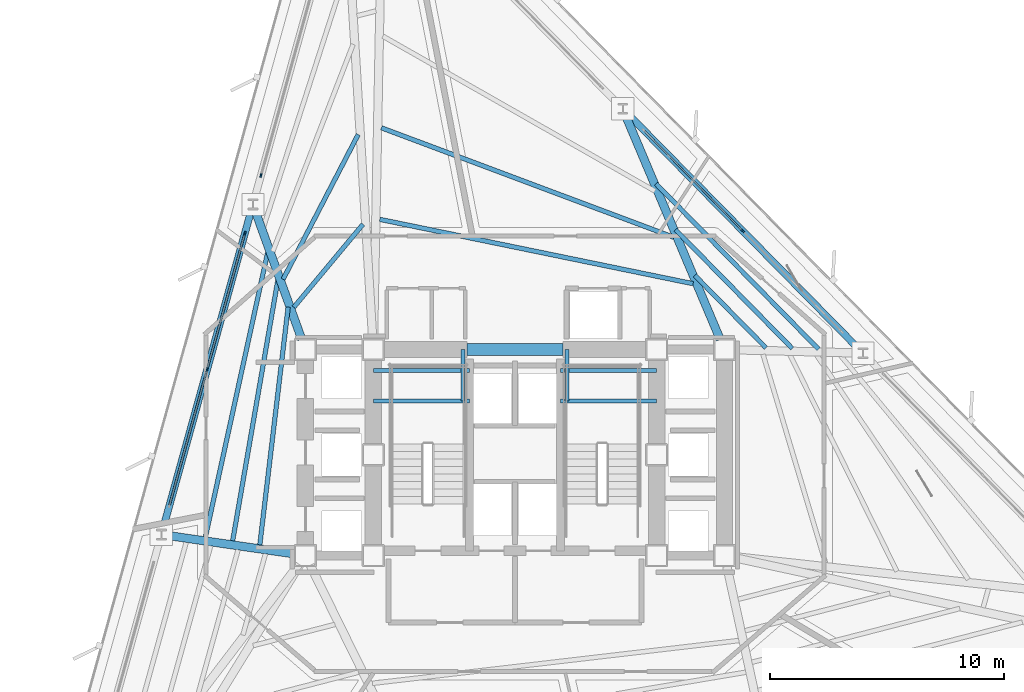
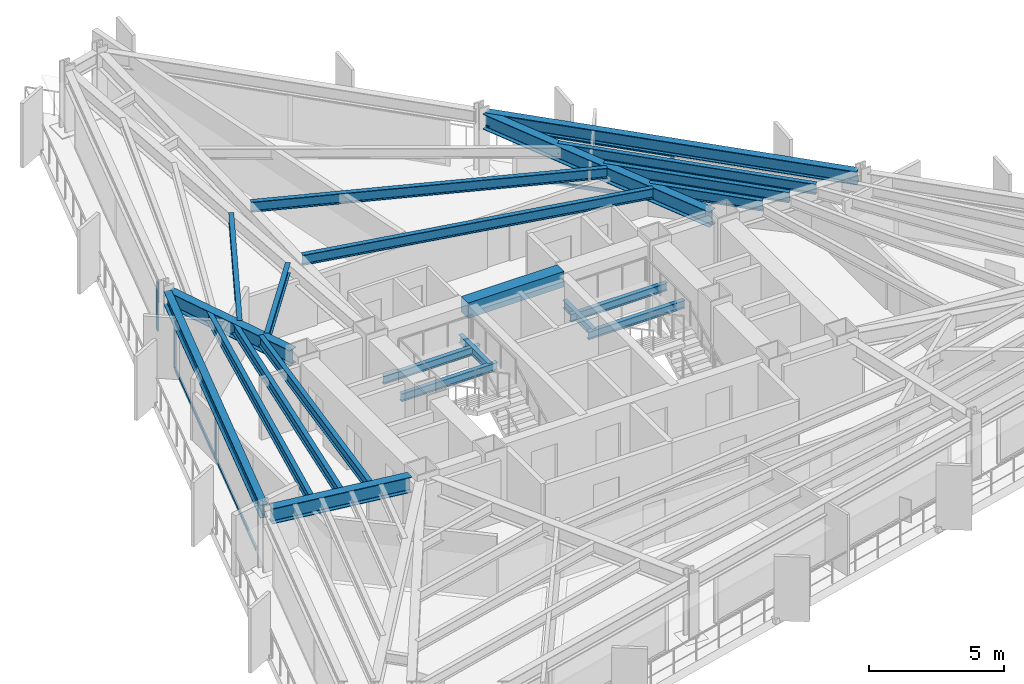
# One storey, part 3 of 11: 22 beams, 10 members, 3 elements without a shape of their own.
"""IFC4 building model written with IfcOpenShell, lengths in metres."""

from ifc_helpers import new_model, si_unit, direction, frame, origin, origin_2d, place, context, subcontext, project, spatial, rectangle, i_section, extrude, material, layer, layer_set, material_profile, profile_set, type_object, element, aggregate, save


model = new_model("IFC4")

# Units and contexts
model_context = context("Model", 3, precision=1e-05, world=origin(), true_north=direction((0.0, 1.0)))
body_context = subcontext(model_context, "Body", "Model", "MODEL_VIEW")
ifc_project = project(units=[si_unit("LENGTHUNIT", "METRE"), si_unit("AREAUNIT", "SQUARE_METRE"), si_unit("VOLUMEUNIT", "CUBIC_METRE"), si_unit("PLANEANGLEUNIT", "RADIAN"), si_unit("MASSUNIT", "GRAM", prefix="KILO")], contexts=[model_context])

# Site, building, storey
site_placement = place(None, origin())
site = spatial("IfcSite", under=ifc_project, at=site_placement, CompositionType="ELEMENT")
building_placement = place(site_placement, origin())
building = spatial("IfcBuilding", under=site, at=building_placement, Name="Rocaltana Carrier Exchange", CompositionType="ELEMENT")
storey_placement = place(building_placement, frame((0.0, 0.0, 76.47998046875)))
storey = spatial("IfcBuildingStorey", under=building, at=storey_placement, Name="L23", CompositionType="ELEMENT", Elevation=76.47998046875)

# Curtain wall, member
ifc_material_1 = material(Name="Aluminium 6063-T6", Category="aluminium")
ifc_layer = layer(ifc_material_1, 0.1650390625)
ifc_layer_set = layer_set([ifc_layer], Name="Aluminium 6063-T6")
curtain_wall_type = type_object("IfcCurtainWallType", Name="Lower-Mid Stepped Curtain Wall CW-02", PredefinedType="NOTDEFINED", material=ifc_layer_set)
curtain_wall_1_placement = place(storey_placement, origin())
curtain_wall_1 = element("IfcCurtainWall", 1, at=curtain_wall_1_placement, inside=storey, type_object=curtain_wall_type, Name="L23 CW-02 Run CW-L23-F1S2", PredefinedType="NOTDEFINED")
ifc_material_2 = material(Name="Aluminium 6063-T6", Category="aluminium")
ifc_material_profile_1 = material_profile(ifc_material_2, rectangle(XDim=0.06494140625, YDim=0.1650390625, at=origin_2d()), Name="AL-65X165")
ifc_profile_set_1 = profile_set([ifc_material_profile_1], Name="Aluminium 6063-T6")
member_type_1 = type_object("IfcMemberType", Name="CW-02 Mullion AL-65X165", PredefinedType="MULLION", material=ifc_profile_set_1)
member_1_placement = place(storey_placement, frame((9.732666015625, 9.564453125, 0.0), z_axis=(0.0, 0.0, 1.0), x_axis=(-0.713244696676, -0.700915118017, 0.0)))
member_1 = element("IfcMember", 2, at=member_1_placement, type_object=member_type_1, Name="CW-02 mullion 2", PredefinedType="MULLION", context=body_context, shape_type="SweptSolid", body=[
    extrude(rectangle(XDim=0.06494140625, YDim=0.1650390625, at=origin_2d()), origin(), (0.0, 0.0, 1.0), 2.16796875),
])

curtain_wall_2_placement = place(storey_placement, origin())
curtain_wall_2 = element("IfcCurtainWall", 3, at=curtain_wall_2_placement, inside=storey, type_object=curtain_wall_type, Name="L23 CW-02 Run CW-L23-F2S1", PredefinedType="NOTDEFINED")
member_2_placement = place(storey_placement, frame((-10.851318359375, 11.93310546875, 0.0), z_axis=(0.0, 0.0, 1.0), x_axis=(0.96362846453, -0.267245546918, 0.0)))
member_2 = element("IfcMember", 4, at=member_2_placement, type_object=member_type_1, Name="CW-02 mullion 3", PredefinedType="MULLION", context=body_context, shape_type="SweptSolid", body=[
    extrude(rectangle(XDim=0.06494140625, YDim=0.1650390625, at=origin_2d()), origin(), (0.0, 0.0, 1.0), 2.16796875),
])
aggregate(curtain_wall_2, [member_2])

# Curtain wall, members
curtain_wall_3_placement = place(storey_placement, origin())
curtain_wall_3 = element("IfcCurtainWall", 5, at=curtain_wall_3_placement, inside=storey, type_object=curtain_wall_type, Name="L23 CW-02 Run CW-L23-F2S2", PredefinedType="NOTDEFINED")
member_3_placement = place(storey_placement, frame((-11.536865234375, 9.46142578125, 0.0), z_axis=(0.0, 0.0, 1.0), x_axis=(0.963630586954, -0.267237893807, 0.0)))
member_3 = element("IfcMember", 6, at=member_3_placement, type_object=member_type_1, Name="CW-02 mullion 1", PredefinedType="MULLION", context=body_context, shape_type="SweptSolid", body=[
    extrude(rectangle(XDim=0.06494140625, YDim=0.1650390625, at=origin_2d()), origin(), (0.0, 0.0, 1.0), 2.16796875),
])
member_4_placement = place(storey_placement, frame((-13.1494140625, 3.646728515625, 0.0), z_axis=(0.0, 0.0, 1.0), x_axis=(0.963630586954, -0.267237893807, 0.0)))
member_4 = element("IfcMember", 7, at=member_4_placement, type_object=member_type_1, Name="CW-02 mullion 2", PredefinedType="MULLION", context=body_context, shape_type="SweptSolid", body=[
    extrude(rectangle(XDim=0.06494140625, YDim=0.1650390625, at=origin_2d()), origin(), (0.0, 0.0, 1.0), 2.16796875),
])

# Member
ifc_material_3 = material(Name="Aluminium 6063-T6", Category="aluminium")
ifc_material_profile_2 = material_profile(ifc_material_3, rectangle(XDim=0.06494140625, YDim=0.1650390625, at=origin_2d()), Name="AL-65X165")
ifc_profile_set_2 = profile_set([ifc_material_profile_2], Name="Aluminium 6063-T6")
member_type_2 = type_object("IfcMemberType", Name="CW-02 Transom AL-65X165", PredefinedType="USERDEFINED", material=ifc_profile_set_2)
member_5_placement = place(storey_placement, frame((9.7099609375, 9.587646484375, 0.032470703125), z_axis=(-0.700924352217, 0.713235621985, 0.0), x_axis=(-0.713235621985, -0.700924352217, 0.0)))
member_5 = element("IfcMember", 8, at=member_5_placement, type_object=member_type_2, Name="CW-02 transom 2.1", ObjectType="TRANSOM", PredefinedType="USERDEFINED", context=body_context, shape_type="SweptSolid", body=[
    extrude(rectangle(XDim=0.06494140625, YDim=0.1650390625, at=origin_2d()), origin(), (0.0, 0.0, 1.0), 5.968994140625),
])

member_6_placement = place(storey_placement, frame((9.7099609375, 9.587646484375, 2.135498046875), z_axis=(-0.700924352217, 0.713235621985, 0.0), x_axis=(-0.713235621985, -0.700924352217, 0.0)))
member_6 = element("IfcMember", 9, at=member_6_placement, type_object=member_type_2, Name="CW-02 transom 2.2", ObjectType="TRANSOM", PredefinedType="USERDEFINED", context=body_context, shape_type="SweptSolid", body=[
    extrude(rectangle(XDim=0.06494140625, YDim=0.1650390625, at=origin_2d()), origin(), (0.0, 0.0, 1.0), 5.968994140625),
])

aggregate(curtain_wall_1, [member_1, member_5, member_6])

member_7_placement = place(storey_placement, frame((-11.54541015625, 9.43017578125, 0.032470703125), z_axis=(-0.267236720875, -0.963630912235, 0.0), x_axis=(0.963630912235, -0.267236720875, 0.0)))
member_7 = element("IfcMember", 10, at=member_7_placement, type_object=member_type_2, Name="CW-02 transom 1.1", ObjectType="TRANSOM", PredefinedType="USERDEFINED", context=body_context, shape_type="SweptSolid", body=[
    extrude(rectangle(XDim=0.06494140625, YDim=0.1650390625, at=origin_2d()), origin(), (0.0, 0.0, 1.0), 5.96923828125),
])

member_8_placement = place(storey_placement, frame((-11.54541015625, 9.43017578125, 2.135498046875), z_axis=(-0.267236720875, -0.963630912235, 0.0), x_axis=(0.963630912235, -0.267236720875, 0.0)))
member_8 = element("IfcMember", 11, at=member_8_placement, type_object=member_type_2, Name="CW-02 transom 1.2", ObjectType="TRANSOM", PredefinedType="USERDEFINED", context=body_context, shape_type="SweptSolid", body=[
    extrude(rectangle(XDim=0.06494140625, YDim=0.1650390625, at=origin_2d()), origin(), (0.0, 0.0, 1.0), 5.96923828125),
])

member_9_placement = place(storey_placement, frame((-13.157958984375, 3.615234375, 0.032470703125), z_axis=(-0.26724725359, -0.963627991213, 0.0), x_axis=(0.963627991213, -0.26724725359, 0.0)))
member_9 = element("IfcMember", 12, at=member_9_placement, type_object=member_type_2, Name="CW-02 transom 2.1", ObjectType="TRANSOM", PredefinedType="USERDEFINED", context=body_context, shape_type="SweptSolid", body=[
    extrude(rectangle(XDim=0.06494140625, YDim=0.1650390625, at=origin_2d()), origin(), (0.0, 0.0, 1.0), 5.968994140625),
])

member_10_placement = place(storey_placement, frame((-13.157958984375, 3.615234375, 2.135498046875), z_axis=(-0.26724725359, -0.963627991213, 0.0), x_axis=(0.963627991213, -0.26724725359, 0.0)))
member_10 = element("IfcMember", 13, at=member_10_placement, type_object=member_type_2, Name="CW-02 transom 2.2", ObjectType="TRANSOM", PredefinedType="USERDEFINED", context=body_context, shape_type="SweptSolid", body=[
    extrude(rectangle(XDim=0.06494140625, YDim=0.1650390625, at=origin_2d()), origin(), (0.0, 0.0, 1.0), 5.968994140625),
])

aggregate(curtain_wall_3, [member_3, member_4, member_7, member_8, member_9, member_10])

# Beams
ifc_material_4 = material(Name="Concrete C60/75", Category="concrete")
ifc_material_profile_3 = material_profile(ifc_material_4, rectangle(XDim=0.5, YDim=0.699951171875, at=origin_2d()), Name="RC-BM-500X700")
ifc_profile_set_3 = profile_set([ifc_material_profile_3], Name="Concrete C60/75")
beam_type_1 = type_object("IfcBeamType", Name="Core Coupling Lintel 500x700", PredefinedType="LINTEL", material=ifc_profile_set_3)
beam_1_placement = place(storey_placement, frame((-2.050048828125, 4.5, 2.43798828125), z_axis=(1.0, 0.0, 0.0), x_axis=(0.0, 1.0, 0.0)))
element("IfcBeam", 14, at=beam_1_placement, inside=storey, type_object=beam_type_1, Name="L23 Core Coupling Lintel CL-N", PredefinedType="LINTEL", context=body_context, shape_type="SweptSolid", body=[
    extrude(rectangle(XDim=0.5, YDim=0.699951171875, at=origin_2d()), origin(), (0.0, 0.0, 1.0), 4.10009765625),
])
ifc_material_5 = material(Name="Steel S355", Category="steel")
ifc_material_profile_4 = material_profile(ifc_material_5, i_section(OverallWidth=0.172119140625, OverallDepth=0.35791015625, WebThickness=0.0078125, FlangeThickness=0.01318359375, FilletRadius=0.011962890625, at=origin_2d()), Name="W14X38")
ifc_profile_set_4 = profile_set([ifc_material_profile_4], Name="Steel S355")
beam_type_2 = type_object("IfcBeamType", Name="Floor Joist W14X38", PredefinedType="JOIST", material=ifc_profile_set_4)
for number, where, z_axis, x_axis, name in (
    (15, (-6.050048828125, 2.300048828125, 1.14111328125), (1.0, 0.0, 0.0), (0.0, 1.0, 0.0), "L23 ST-1 Landing Carrier 1"),
    (16, (1.93994140625, 2.300048828125, 1.14111328125), (1.0, 0.0, 0.0), (0.0, 1.0, 0.0), "L23 ST-2 Landing Carrier 1"),
    (17, (-6.050048828125, 3.60009765625, 1.14111328125), (1.0, 0.0, 0.0), (0.0, 1.0, 0.0), "L23 ST-1 Landing Carrier 2"),
    (18, (1.93994140625, 3.60009765625, 1.14111328125), (1.0, 0.0, 0.0), (0.0, 1.0, 0.0), "L23 ST-2 Landing Carrier 2"),
):
    element("IfcBeam", number, at=place(storey_placement, frame(where, z_axis=z_axis, x_axis=x_axis)), inside=storey, type_object=beam_type_2, Name=name, PredefinedType="JOIST", context=body_context, shape_type="SweptSolid", body=[
        extrude(i_section(OverallWidth=0.172119140625, OverallDepth=0.35791015625, WebThickness=0.0078125, FlangeThickness=0.01318359375, FilletRadius=0.011962890625, at=origin_2d()), origin(), (0.0, 0.0, 1.0), 4.110107421875),
    ])
for number, where, z_axis, x_axis, name in (
    (19, (-2.219970703125, 2.300048828125, 1.14111328125), (0.0, 1.0, 0.0), (-1.0, 0.0, 0.0), "L23 ST-1 Landing Cross Trimmer"),
    (20, (2.219970703125, 2.300048828125, 1.14111328125), (0.0, 1.0, 0.0), (-1.0, 0.0, 0.0), "L23 ST-2 Landing Cross Trimmer"),
):
    element("IfcBeam", number, at=place(storey_placement, frame(where, z_axis=z_axis, x_axis=x_axis)), inside=storey, type_object=beam_type_2, Name=name, PredefinedType="JOIST", context=body_context, shape_type="SweptSolid", body=[
        extrude(i_section(OverallWidth=0.172119140625, OverallDepth=0.35791015625, WebThickness=0.0078125, FlangeThickness=0.01318359375, FilletRadius=0.011962890625, at=origin_2d()), origin(), (0.0, 0.0, 1.0), 2.199951171875),
    ])
ifc_material_6 = material(Name="Steel S355", Category="steel")
ifc_material_profile_5 = material_profile(ifc_material_6, i_section(OverallWidth=0.193115234375, OverallDepth=0.466064453125, WebThickness=0.011474609375, FlangeThickness=0.01904296875, FilletRadius=0.013916015625, at=origin_2d()), Name="W18X65")
ifc_profile_set_5 = profile_set([ifc_material_profile_5], Name="Steel S355")
beam_type_3 = type_object("IfcBeamType", Name="Floor Joist W18X65", PredefinedType="JOIST", material=ifc_profile_set_5)
beam_2_placement = place(storey_placement, frame((10.72119140625, 4.572998046875, 2.554931640625), z_axis=(-0.700891063864, 0.713268334216, 0.0), x_axis=(-0.713268334216, -0.700891063864, 0.0)))
element("IfcBeam", 21, at=beam_2_placement, inside=storey, type_object=beam_type_3, Name="FJ-L23-02-1", PredefinedType="JOIST", context=body_context, shape_type="SweptSolid", body=[
    extrude(i_section(OverallWidth=0.193115234375, OverallDepth=0.466064453125, WebThickness=0.011474609375, FlangeThickness=0.01904296875, FilletRadius=0.013916015625, at=origin_2d()), origin(), (0.0, 0.0, 1.0), 4.339599609375),
])
beam_3_placement = place(storey_placement, frame((11.844482421875, 4.543701171875, 2.554931640625), z_axis=(-0.700907768136, 0.713251919427, 0.0), x_axis=(-0.713251919427, -0.700907768136, 0.0)))
element("IfcBeam", 22, at=beam_3_placement, inside=storey, type_object=beam_type_3, Name="FJ-L23-02-2", PredefinedType="JOIST", context=body_context, shape_type="SweptSolid", body=[
    extrude(i_section(OverallWidth=0.193115234375, OverallDepth=0.466064453125, WebThickness=0.011474609375, FlangeThickness=0.01904296875, FilletRadius=0.013916015625, at=origin_2d()), origin(), (0.0, 0.0, 1.0), 7.1201171875),
])
beam_4_placement = place(storey_placement, frame((12.967529296875, 4.514404296875, 2.554931640625), z_axis=(-0.700914872746, 0.713244937706, 0.0), x_axis=(-0.713244937706, -0.700914872746, 0.0)))
element("IfcBeam", 23, at=beam_4_placement, inside=storey, type_object=beam_type_3, Name="FJ-L23-02-3", PredefinedType="JOIST", context=body_context, shape_type="SweptSolid", body=[
    extrude(i_section(OverallWidth=0.193115234375, OverallDepth=0.466064453125, WebThickness=0.011474609375, FlangeThickness=0.01904296875, FilletRadius=0.013916015625, at=origin_2d()), origin(), (0.0, 0.0, 1.0), 9.900146484375),
])
beam_5_placement = place(storey_placement, frame((7.608642578125, 7.310791015625, 2.554931640625), z_axis=(-0.979548911699, 0.201206186758, 0.0), x_axis=(-0.201206186758, -0.979548911699, 0.0)))
element("IfcBeam", 24, at=beam_5_placement, inside=storey, type_object=beam_type_3, Name="FJ-L23-03-1", PredefinedType="JOIST", context=body_context, shape_type="SweptSolid", body=[
    extrude(i_section(OverallWidth=0.193115234375, OverallDepth=0.466064453125, WebThickness=0.011474609375, FlangeThickness=0.01904296875, FilletRadius=0.013916015625, at=origin_2d()), origin(), (0.0, 0.0, 1.0), 13.66259765625),
])
beam_6_placement = place(storey_placement, frame((6.790283203125, 9.290283203125, 2.554931640625), z_axis=(-0.936459936045, 0.35077455464, 0.0), x_axis=(-0.35077455464, -0.936459936045, 0.0)))
element("IfcBeam", 25, at=beam_6_placement, inside=storey, type_object=beam_type_3, Name="FJ-L23-03-2", PredefinedType="JOIST", context=body_context, shape_type="SweptSolid", body=[
    extrude(i_section(OverallWidth=0.193115234375, OverallDepth=0.466064453125, WebThickness=0.011474609375, FlangeThickness=0.01904296875, FilletRadius=0.013916015625, at=origin_2d()), origin(), (0.0, 0.0, 1.0), 13.344482421875),
])
beam_7_placement = place(storey_placement, frame((-6.492919921875, 9.848876953125, 2.554931640625), z_axis=(-0.640163577039, -0.768238631307, 0.0), x_axis=(0.768238631307, -0.640163577039, 0.0)))
element("IfcBeam", 26, at=beam_7_placement, inside=storey, type_object=beam_type_3, Name="FJ-L23-05-1", PredefinedType="JOIST", context=body_context, shape_type="SweptSolid", body=[
    extrude(i_section(OverallWidth=0.193115234375, OverallDepth=0.466064453125, WebThickness=0.011474609375, FlangeThickness=0.01904296875, FilletRadius=0.013916015625, at=origin_2d()), origin(), (0.0, 0.0, 1.0), 4.613037109375),
])
beam_8_placement = place(storey_placement, frame((-6.6962890625, 13.68505859375, 2.554931640625), z_axis=(-0.46048496637, -0.887667502924, 0.0), x_axis=(0.887667502924, -0.46048496637, 0.0)))
element("IfcBeam", 27, at=beam_8_placement, inside=storey, type_object=beam_type_3, Name="FJ-L23-05-2", PredefinedType="JOIST", context=body_context, shape_type="SweptSolid", body=[
    extrude(i_section(OverallWidth=0.193115234375, OverallDepth=0.466064453125, WebThickness=0.011474609375, FlangeThickness=0.01904296875, FilletRadius=0.013916015625, at=origin_2d()), origin(), (0.0, 0.0, 1.0), 6.96435546875),
])
beam_9_placement = place(storey_placement, frame((-9.6884765625, 6.312744140625, 2.554931640625), z_axis=(-0.118374284941, -0.992969047184, 0.0), x_axis=(0.992969047184, -0.118374284941, 0.0)))
element("IfcBeam", 28, at=beam_9_placement, inside=storey, type_object=beam_type_3, Name="FJ-L23-06-1", PredefinedType="JOIST", context=body_context, shape_type="SweptSolid", body=[
    extrude(i_section(OverallWidth=0.193115234375, OverallDepth=0.466064453125, WebThickness=0.011474609375, FlangeThickness=0.01904296875, FilletRadius=0.013916015625, at=origin_2d()), origin(), (0.0, 0.0, 1.0), 10.227783203125),
])
beam_10_placement = place(storey_placement, frame((-10.123779296875, 7.49169921875, 2.554931640625), z_axis=(-0.170820187973, -0.985302219312, 0.0), x_axis=(0.985302219312, -0.170820187973, 0.0)))
element("IfcBeam", 29, at=beam_10_placement, inside=storey, type_object=beam_type_3, Name="FJ-L23-06-2", PredefinedType="JOIST", context=body_context, shape_type="SweptSolid", body=[
    extrude(i_section(OverallWidth=0.193115234375, OverallDepth=0.466064453125, WebThickness=0.011474609375, FlangeThickness=0.01904296875, FilletRadius=0.013916015625, at=origin_2d()), origin(), (0.0, 0.0, 1.0), 11.332275390625),
])
beam_11_placement = place(storey_placement, frame((-10.5576171875, 8.67041015625, 2.554931640625), z_axis=(-0.213747702255, -0.976888898381, 0.0), x_axis=(0.976888898381, -0.213747702255, 0.0)))
element("IfcBeam", 30, at=beam_11_placement, inside=storey, type_object=beam_type_3, Name="FJ-L23-06-3", PredefinedType="JOIST", context=body_context, shape_type="SweptSolid", body=[
    extrude(i_section(OverallWidth=0.193115234375, OverallDepth=0.466064453125, WebThickness=0.011474609375, FlangeThickness=0.01904296875, FilletRadius=0.013916015625, at=origin_2d()), origin(), (0.0, 0.0, 1.0), 12.463623046875),
])
ifc_material_7 = material(Name="Steel S355", Category="steel")
ifc_material_profile_6 = material_profile(ifc_material_7, i_section(OverallWidth=0.35498046875, OverallDepth=0.695068359375, WebThickness=0.015380859375, FlangeThickness=0.02490234375, FilletRadius=0.01806640625, at=origin_2d()), Name="W27X146")
ifc_profile_set_6 = profile_set([ifc_material_profile_6], Name="Steel S355")
beam_type_4 = type_object("IfcBeamType", Name="Radial Girder W27X146", PredefinedType="BEAM", material=ifc_profile_set_6)
beam_12_placement = place(storey_placement, frame((8.768310546875, 4.93017578125, 2.4404296875), z_axis=(-0.389276478426, 0.921120960213, 0.0), x_axis=(-0.921120960213, -0.389276478426, 0.0)))
element("IfcBeam", 31, at=beam_12_placement, inside=storey, type_object=beam_type_4, Name="RG-L23-03", PredefinedType="BEAM", context=body_context, shape_type="SweptSolid", body=[
    extrude(i_section(OverallWidth=0.35498046875, OverallDepth=0.695068359375, WebThickness=0.015380859375, FlangeThickness=0.02490234375, FilletRadius=0.01806640625, at=origin_2d()), origin(), (0.0, 0.0, 1.0), 10.49560546875),
])
beam_13_placement = place(storey_placement, frame((-9.10888671875, 4.939208984375, 2.4404296875), z_axis=(-0.340508311046, 0.940241506268, 0.0), x_axis=(-0.940241506268, -0.340508311046, 0.0)))
element("IfcBeam", 32, at=beam_13_placement, inside=storey, type_object=beam_type_4, Name="RG-L23-06", PredefinedType="BEAM", context=body_context, shape_type="SweptSolid", body=[
    extrude(i_section(OverallWidth=0.35498046875, OverallDepth=0.695068359375, WebThickness=0.015380859375, FlangeThickness=0.02490234375, FilletRadius=0.01806640625, at=origin_2d()), origin(), (0.0, 0.0, 1.0), 5.923095703125),
])
beam_14_placement = place(storey_placement, frame((-9.412109375, -4.232666015625, 2.4404296875), z_axis=(-0.989567752524, 0.1440682587, 0.0), x_axis=(-0.1440682587, -0.989567752524, 0.0)))
element("IfcBeam", 33, at=beam_14_placement, inside=storey, type_object=beam_type_4, Name="RG-L23-07", PredefinedType="BEAM", context=body_context, shape_type="SweptSolid", body=[
    extrude(i_section(OverallWidth=0.35498046875, OverallDepth=0.695068359375, WebThickness=0.015380859375, FlangeThickness=0.02490234375, FilletRadius=0.01806640625, at=origin_2d()), origin(), (0.0, 0.0, 1.0), 5.551513671875),
])
ifc_material_8 = material(Name="Steel S355", Category="steel")
ifc_material_profile_7 = material_profile(ifc_material_8, i_section(OverallWidth=0.300048828125, OverallDepth=0.60009765625, WebThickness=0.015380859375, FlangeThickness=0.030029296875, FilletRadius=0.027099609375, at=origin_2d()), Name="HEB600")
ifc_profile_set_7 = profile_set([ifc_material_profile_7], Name="Steel S355")
beam_type_5 = type_object("IfcBeamType", Name="Spandrel Edge Beam HEB600", PredefinedType="SPANDREL", material=ifc_profile_set_7)
beam_15_placement = place(storey_placement, frame((14.72021484375, 4.489013671875, 2.488037109375), z_axis=(-0.700903992089, 0.713255630103, 0.0), x_axis=(-0.713255630103, -0.700903992089, 0.0)))
element("IfcBeam", 34, at=beam_15_placement, inside=storey, type_object=beam_type_5, Name="SP-L23-02", PredefinedType="SPANDREL", context=body_context, shape_type="SweptSolid", body=[
    extrude(i_section(OverallWidth=0.300048828125, OverallDepth=0.60009765625, WebThickness=0.015380859375, FlangeThickness=0.030029296875, FilletRadius=0.027099609375, at=origin_2d()), origin(), (0.0, 0.0, 1.0), 14.2314453125),
])
beam_16_placement = place(storey_placement, frame((-11.247802734375, 10.50341796875, 2.488037109375), z_axis=(-0.267228866317, -0.963633090448, 0.0), x_axis=(0.963633090448, -0.267228866317, 0.0)))
element("IfcBeam", 35, at=beam_16_placement, inside=storey, type_object=beam_type_5, Name="SP-L23-06", PredefinedType="SPANDREL", context=body_context, shape_type="SweptSolid", body=[
    extrude(i_section(OverallWidth=0.300048828125, OverallDepth=0.60009765625, WebThickness=0.015380859375, FlangeThickness=0.030029296875, FilletRadius=0.027099609375, at=origin_2d()), origin(), (0.0, 0.0, 1.0), 14.231201171875),
])

save(model, "model.ifc")
